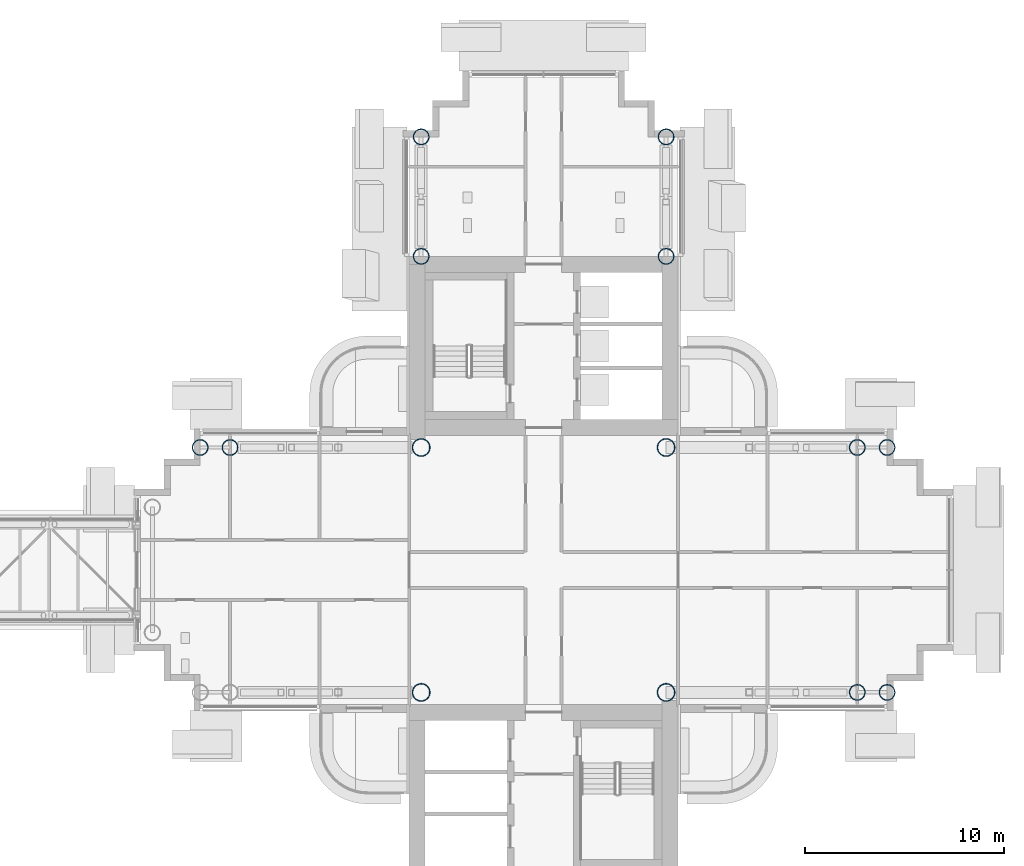
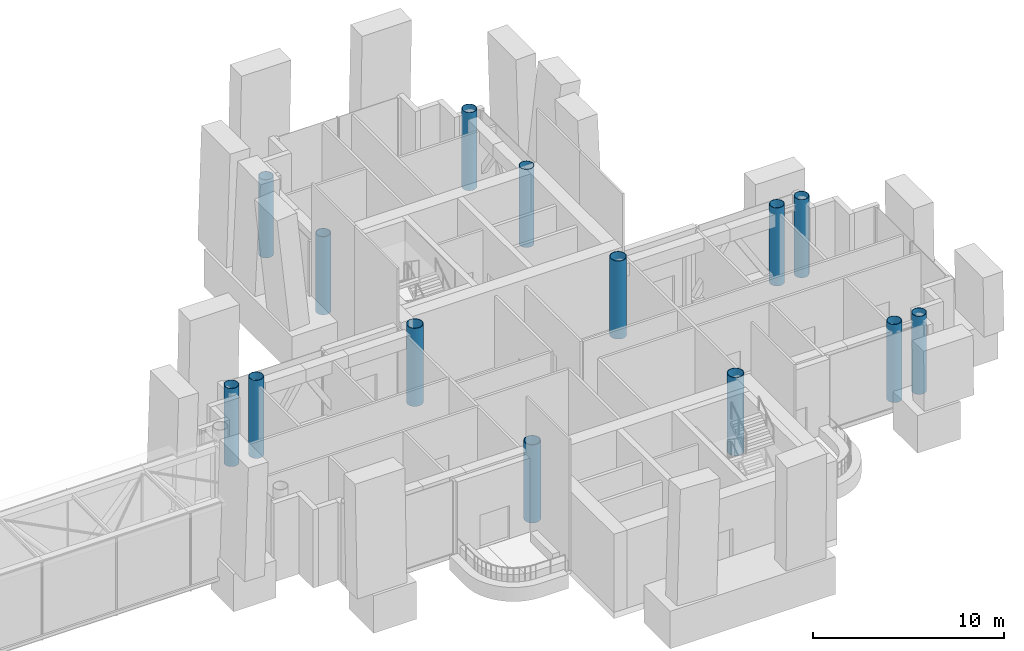
# One storey, part 2 of 34: 14 columns.
"""IFC4 building model written with IfcOpenShell, lengths in metres."""

from ifc_helpers import new_model, si_unit, direction, frame, origin, origin_2d, place, context, subcontext, project, spatial, hollow_circle, extrude, material, material_profile, profile_set, type_object, element, save


model = new_model("IFC4")

# Units and contexts
model_context = context("Model", 3, precision=1e-05, world=origin(), true_north=direction((0.0, 1.0)))
body_context = subcontext(model_context, "Body", "Model", "MODEL_VIEW")
ifc_project = project(units=[si_unit("LENGTHUNIT", "METRE"), si_unit("AREAUNIT", "SQUARE_METRE"), si_unit("VOLUMEUNIT", "CUBIC_METRE"), si_unit("PLANEANGLEUNIT", "RADIAN"), si_unit("MASSUNIT", "GRAM", prefix="KILO")], contexts=[model_context])

# Site, building, storey
site_placement = place(None, origin())
site = spatial("IfcSite", under=ifc_project, at=site_placement, CompositionType="ELEMENT")
building_placement = place(site_placement, origin())
building = spatial("IfcBuilding", under=site, at=building_placement, Name="Ipe Terrace Towers", CompositionType="ELEMENT")
storey_placement = place(building_placement, frame((0.0, 0.0, 128.699951171875)))
storey = spatial("IfcBuildingStorey", under=building, at=storey_placement, Name="L35", CompositionType="ELEMENT", Elevation=128.699951171875)

# Columns
ifc_material_1 = material(Name="Steel S355 tube with Concrete C60/75 fill", Category="concrete")
ifc_material_profile_1 = material_profile(ifc_material_1, hollow_circle(Radius=0.39990234375, WallThickness=0.028076171875, at=origin_2d()), Name="CHS-800x28")
ifc_profile_set_1 = profile_set([ifc_material_profile_1], Name="Steel S355 tube with Concrete C60/75 fill")
column_type_1 = type_object("IfcColumnType", Name="CH09 COLUMN CHS-800x28", PredefinedType="COLUMN", material=ifc_profile_set_1)
for number, where, z_axis, x_axis, name in (
    (1, (42.14990234375, 15.75, 0.0), (0.0, 0.0, 1.0), (1.0, 0.0, 0.0), "Column T2-C-A01"),
    (2, (29.85009765625, 15.75, 0.0), (0.0, 0.0, 1.0), (1.0, 0.0, 0.0), "Column T2-C-A02"),
    (3, (42.14990234375, 21.75, 0.0), (0.0, 0.0, 1.0), (1.0, 0.0, 0.0), "Column T2-C-A03"),
    (4, (29.85009765625, 21.75, 0.0), (0.0, 0.0, 1.0), (1.0, 0.0, 0.0), "Column T2-C-A04"),
    (5, (20.25, 6.14990234375, 0.0), (0.0, 0.0, 1.0), (1.0, 0.0, 0.0), "Column T2-C-B03"),
    (6, (18.75, 6.14990234375, 0.0), (0.0, 0.0, 1.0), (1.0, 0.0, 0.0), "Column T2-C-B05"),
    (7, (51.75, -6.14990234375, 0.0), (0.0, 0.0, 1.0), (1.0, 0.0, 0.0), "Column T2-C-D03"),
    (8, (51.75, 6.14990234375, 0.0), (0.0, 0.0, 1.0), (1.0, 0.0, 0.0), "Column T2-C-D04"),
    (9, (53.25, -6.14990234375, 0.0), (0.0, 0.0, 1.0), (1.0, 0.0, 0.0), "Column T2-C-D05"),
    (10, (53.25, 6.14990234375, 0.0), (0.0, 0.0, 1.0), (1.0, 0.0, 0.0), "Column T2-C-D06"),
):
    element("IfcColumn", number, at=place(storey_placement, frame(where, z_axis=z_axis, x_axis=x_axis)), inside=storey, type_object=column_type_1, Name=name, PredefinedType="COLUMN", context=body_context, shape_type="SweptSolid", body=[
        extrude(hollow_circle(Radius=0.39990234375, WallThickness=0.028076171875, at=origin_2d()), origin(), (0.0, 0.0, 1.0), 5.0),
    ])
ifc_material_2 = material(Name="Steel S355 tube with Concrete C60/75 fill", Category="concrete")
ifc_material_profile_2 = material_profile(ifc_material_2, hollow_circle(Radius=0.449951171875, WallThickness=0.031982421875, at=origin_2d()), Name="CHS-900x32")
ifc_profile_set_2 = profile_set([ifc_material_profile_2], Name="Steel S355 tube with Concrete C60/75 fill")
column_type_2 = type_object("IfcColumnType", Name="CH10 COLUMN CHS-900x32", PredefinedType="COLUMN", material=ifc_profile_set_2)
for number, where, z_axis, x_axis, name in (
    (11, (42.14990234375, -6.14990234375, 0.0), (0.0, 0.0, 1.0), (1.0, 0.0, 0.0), "Column T2-C-E01"),
    (12, (42.14990234375, 6.14990234375, 0.0), (0.0, 0.0, 1.0), (1.0, 0.0, 0.0), "Column T2-C-E02"),
    (13, (29.85009765625, 6.14990234375, 0.0), (0.0, 0.0, 1.0), (1.0, 0.0, 0.0), "Column T2-C-E03"),
    (14, (29.85009765625, -6.14990234375, 0.0), (0.0, 0.0, 1.0), (1.0, 0.0, 0.0), "Column T2-C-E04"),
):
    element("IfcColumn", number, at=place(storey_placement, frame(where, z_axis=z_axis, x_axis=x_axis)), inside=storey, type_object=column_type_2, Name=name, PredefinedType="COLUMN", context=body_context, shape_type="SweptSolid", body=[
        extrude(hollow_circle(Radius=0.449951171875, WallThickness=0.031982421875, at=origin_2d()), origin(), (0.0, 0.0, 1.0), 5.0),
    ])

save(model, "model.ifc")
